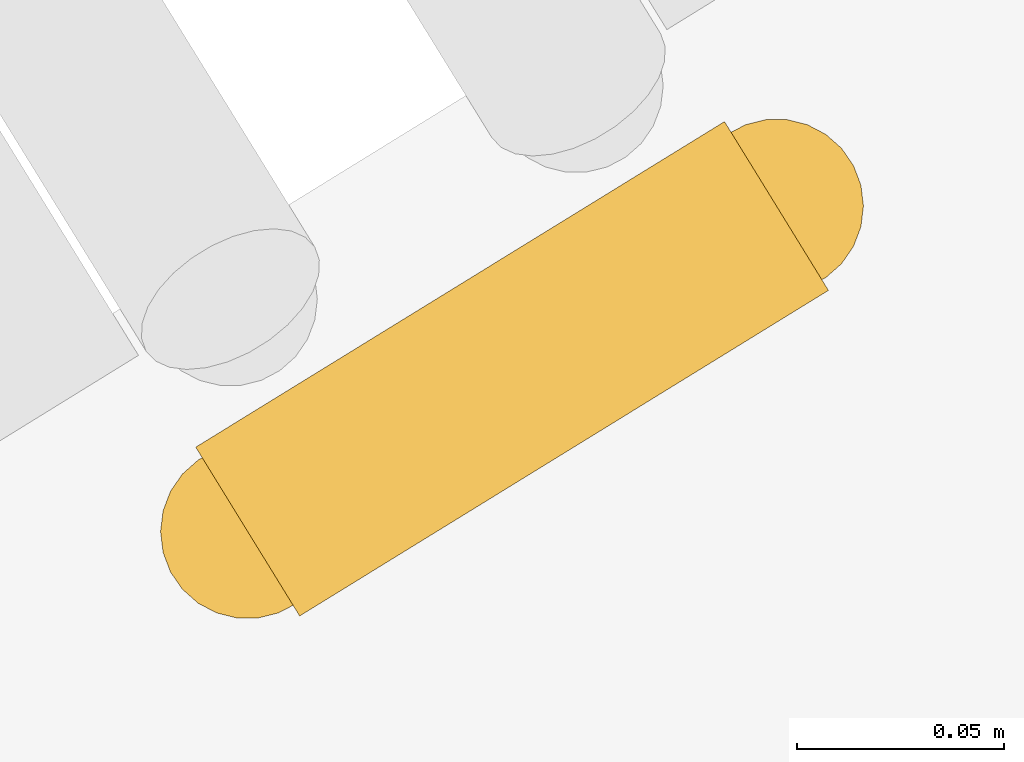
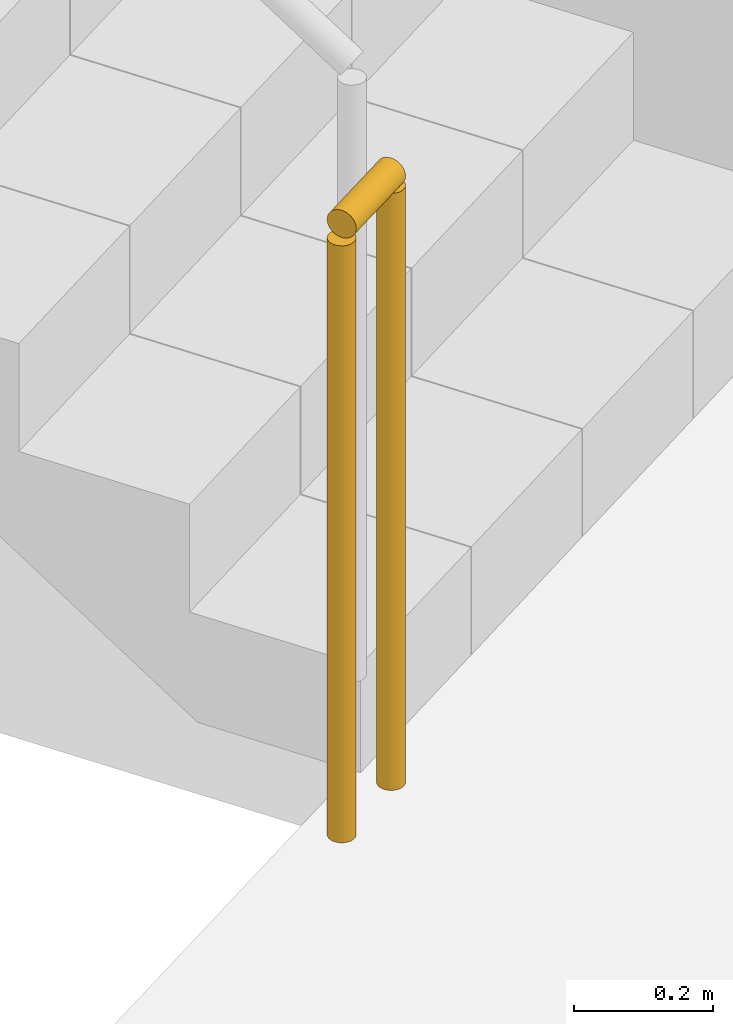
# One storey, part 11 of 19: 1 railing.
"""IFC4 building model written with IfcOpenShell, lengths in metres."""

from ifc_helpers import new_model, si_unit, direction, frame, origin, origin_2d, place, context, subcontext, project, spatial, circle, extrude, material, type_object, element, save


model = new_model("IFC4")

# Units and contexts
model_context = context("Model", 3, precision=1e-05, world=origin(), true_north=direction((0.0, 1.0)))
body_context = subcontext(model_context, "Body", "Model", "MODEL_VIEW")
ifc_project = project(units=[si_unit("LENGTHUNIT", "METRE"), si_unit("AREAUNIT", "SQUARE_METRE"), si_unit("VOLUMEUNIT", "CUBIC_METRE"), si_unit("PLANEANGLEUNIT", "RADIAN"), si_unit("MASSUNIT", "GRAM", prefix="KILO")], contexts=[model_context])

# Site, building, storey
site_placement = place(None, origin())
site = spatial("IfcSite", under=ifc_project, at=site_placement, CompositionType="ELEMENT")
building_placement = place(site_placement, origin())
building = spatial("IfcBuilding", under=site, at=building_placement, Name="Cantera Rosa Tower", CompositionType="ELEMENT")
storey_placement = place(building_placement, frame((0.0, 0.0, 147.60009765625)))
storey = spatial("IfcBuildingStorey", under=building, at=storey_placement, Name="L31", CompositionType="ELEMENT", Elevation=147.60009765625)

# Railing
ifc_material = material(Name="Steel S355J2 (EN 10025-2)", Category="steel")
railing_type = type_object("IfcRailingType", Name="STAIR GUARD 1100", PredefinedType="GUARDRAIL", material=ifc_material)
railing_placement = place(storey_placement, frame((-6.77490234375, -14.19482421875, 0.0)))
element("IfcRailing", 1, at=railing_placement, inside=storey, type_object=railing_type, Name="L31 ST-33 stair guard 3", PredefinedType="GUARDRAIL", context=body_context, shape_type="SweptSolid", body=[
    extrude(circle(Radius=0.02392578125, at=origin_2d()), frame((0.0, 0.0, 1.076171875), z_axis=(-0.851546489876, -0.524279100842, 0.0), x_axis=(0.524279100842, -0.851546489876, 0.0)), (0.0, 0.0, 1.0), 0.14990234375),
    extrude(circle(Radius=0.02099609375, at=origin_2d()), origin(), (0.0, 0.0, 1.0), 1.052001953125),
    extrude(circle(Radius=0.02099609375, at=origin_2d()), frame((-0.127685546875, -0.07861328125, 0.0)), (0.0, 0.0, 1.0), 1.052001953125),
])

save(model, "model.ifc")
